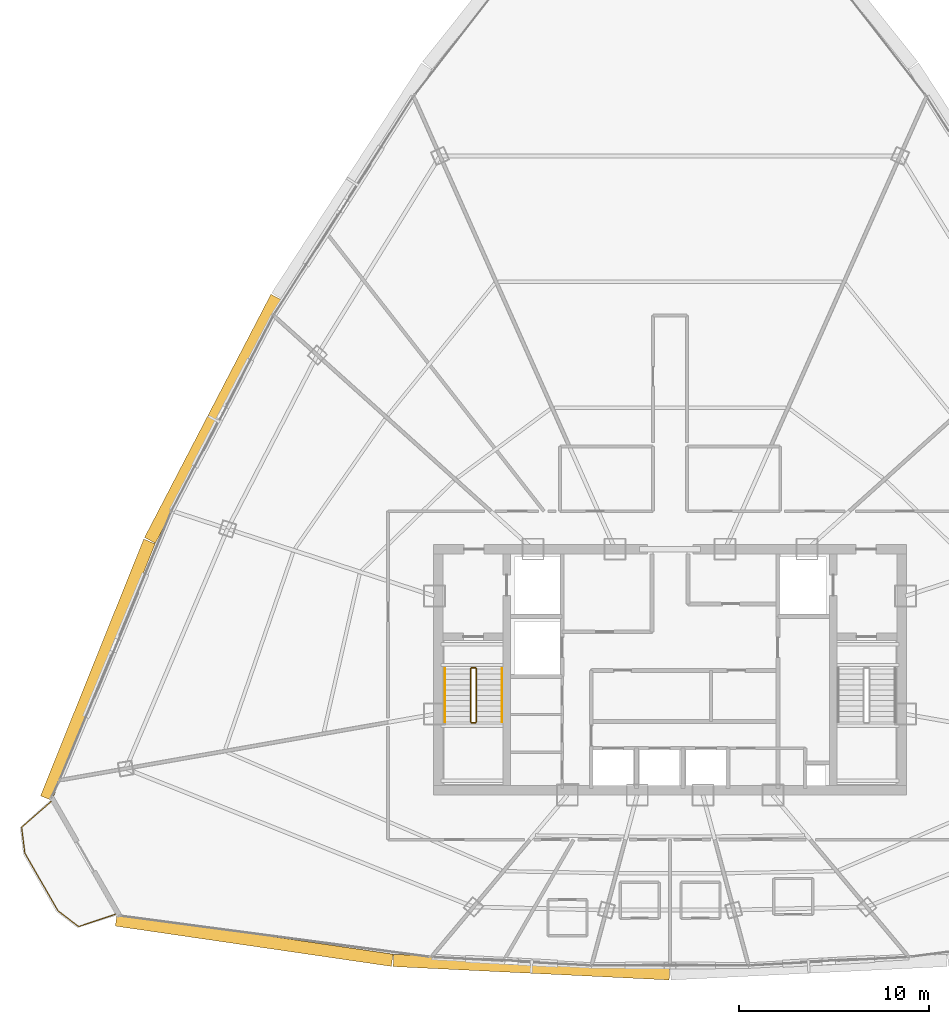
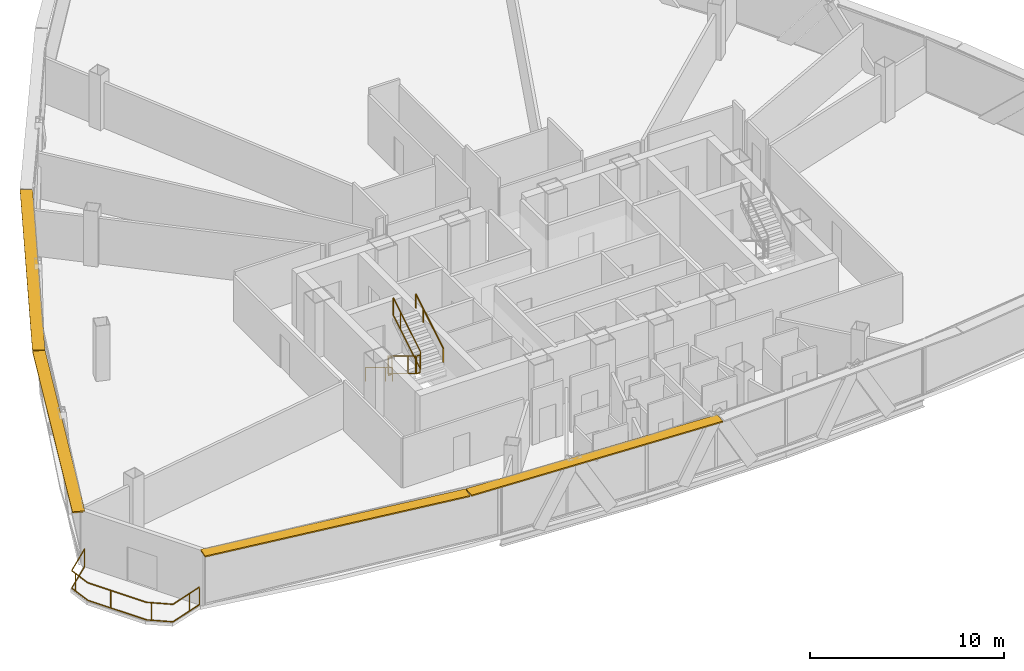
# One storey, part 35 of 37: 7 railings, 4 shading devices.
"""IFC4 building model written with IfcOpenShell, lengths in metres."""

from ifc_helpers import new_model, si_unit, direction, frame, origin, origin_2d, place, context, subcontext, project, spatial, rectangle, extrude, source, transform, mapped, material, layer, layer_set, type_object, element, save


model = new_model("IFC4")

# Units and contexts
model_context = context("Model", 3, precision=1e-05, world=origin(), true_north=direction((0.0, 1.0)))
body_context = subcontext(model_context, "Body", "Model", "MODEL_VIEW")
ifc_project = project(units=[si_unit("LENGTHUNIT", "METRE"), si_unit("AREAUNIT", "SQUARE_METRE"), si_unit("VOLUMEUNIT", "CUBIC_METRE"), si_unit("PLANEANGLEUNIT", "RADIAN"), si_unit("MASSUNIT", "GRAM", prefix="KILO"), si_unit("THERMODYNAMICTEMPERATUREUNIT", "KELVIN"), si_unit("POWERUNIT", "WATT")], contexts=[model_context])

# Site, building, storey
site_placement = place(None, origin())
site = spatial("IfcSite", under=ifc_project, at=site_placement, CompositionType="ELEMENT")
building_placement = place(site_placement, origin())
building = spatial("IfcBuilding", under=site, at=building_placement, Name="Yunzhuo Pagoda Commons", CompositionType="ELEMENT")
storey_placement = place(building_placement, frame((0.0, 0.0, 277.56005859375)))
storey = spatial("IfcBuildingStorey", under=building, at=storey_placement, Name="L69", CompositionType="ELEMENT", Elevation=277.56005859375)

# Railings
ifc_material = material(Name="Anodized aluminium 6063-T6", Category="aluminium")
railing_type_1 = type_object("IfcRailingType", Name="GR-ST1 Stair Well Guardrail 1150", PredefinedType="GUARDRAIL", material=ifc_material)
railing_1_placement = place(storey_placement, frame((37.5, 33.89990234375, 0.16943359375)))
element("IfcRailing", 1, at=railing_1_placement, inside=storey, type_object=railing_type_1, Name="L69 ST1 stair guard 1", PredefinedType="GUARDRAIL", context=body_context, shape_type="SweptSolid", body=[
    extrude(rectangle(XDim=0.048095703125, YDim=0.048095703125, at=origin_2d()), frame((0.0, 0.0, 1.1259765625), z_axis=(0.0, -0.855373106579, 0.518012401918), x_axis=(1.0, 0.0, 0.0)), (0.0, 0.0, 1.0), 3.273193359375),
    extrude(rectangle(XDim=0.048095703125, YDim=0.048095703125, at=origin_2d()), frame((0.0, 0.0, 0.02392578125), z_axis=(0.0, -0.855373106579, 0.518012401918), x_axis=(1.0, 0.0, 0.0)), (0.0, 0.0, 1.0), 3.273193359375),
    extrude(rectangle(XDim=0.0419921875, YDim=0.0419921875, at=origin_2d()), origin(), (0.0, 0.0, 1.0), 1.101806640625),
    extrude(rectangle(XDim=0.0419921875, YDim=0.0419921875, at=origin_2d()), frame((0.0, -2.052978515625, 1.2431640625)), (0.0, 0.0, 1.0), 1.101806640625),
    extrude(rectangle(XDim=0.0419921875, YDim=0.0419921875, at=origin_2d()), frame((0.0, -2.7998046875, 1.695556640625)), (0.0, 0.0, 1.0), 1.101806640625),
])
railing_2_placement = place(storey_placement, frame((37.550048828125, 31.050048828125, 1.864990234375)))
element("IfcRailing", 2, at=railing_2_placement, inside=storey, type_object=railing_type_1, Name="L69 ST1 stair guard 2", PredefinedType="GUARDRAIL", context=body_context, shape_type="SweptSolid", body=[
    extrude(rectangle(XDim=0.048095703125, YDim=0.048095703125, at=origin_2d()), frame((0.0, 0.0, 1.1259765625), z_axis=(1.0, 0.0, 0.0), x_axis=(0.0, 1.0, 0.0)), (0.0, 0.0, 1.0), 0.199951171875),
    extrude(rectangle(XDim=0.048095703125, YDim=0.048095703125, at=origin_2d()), frame((0.0, 0.0, 0.02392578125), z_axis=(1.0, 0.0, 0.0), x_axis=(0.0, 1.0, 0.0)), (0.0, 0.0, 1.0), 0.199951171875),
    extrude(rectangle(XDim=0.0419921875, YDim=0.0419921875, at=origin_2d()), origin(), (0.0, 0.0, 1.0), 1.101806640625),
    extrude(rectangle(XDim=0.0419921875, YDim=0.0419921875, at=origin_2d()), frame((0.199951171875, 0.0, 0.0)), (0.0, 0.0, 1.0), 1.101806640625),
])
railing_3_placement = place(storey_placement, frame((37.800048828125, 31.10009765625, 2.034423828125)))
element("IfcRailing", 3, at=railing_3_placement, inside=storey, type_object=railing_type_1, Name="L69 ST1 stair guard 3", PredefinedType="GUARDRAIL", context=body_context, shape_type="SweptSolid", body=[
    extrude(rectangle(XDim=0.048095703125, YDim=0.048095703125, at=origin_2d()), frame((0.0, 0.0, 1.1259765625), z_axis=(0.0, 0.855373106579, 0.518012401918), x_axis=(-1.0, 0.0, 0.0)), (0.0, 0.0, 1.0), 3.273193359375),
    extrude(rectangle(XDim=0.048095703125, YDim=0.048095703125, at=origin_2d()), frame((0.0, 0.0, 0.02392578125), z_axis=(0.0, 0.855373106579, 0.518012401918), x_axis=(-1.0, 0.0, 0.0)), (0.0, 0.0, 1.0), 3.273193359375),
    extrude(rectangle(XDim=0.0419921875, YDim=0.0419921875, at=origin_2d()), origin(), (0.0, 0.0, 1.0), 1.101806640625),
    extrude(rectangle(XDim=0.0419921875, YDim=0.0419921875, at=origin_2d()), frame((0.0, 2.052978515625, 1.2431640625)), (0.0, 0.0, 1.0), 1.101806640625),
    extrude(rectangle(XDim=0.0419921875, YDim=0.0419921875, at=origin_2d()), frame((0.0, 2.7998046875, 1.695556640625)), (0.0, 0.0, 1.0), 1.101806640625),
])
railing_4_placement = place(storey_placement, frame((37.550048828125, 33.949951171875, 0.0)))
element("IfcRailing", 4, at=railing_4_placement, inside=storey, type_object=railing_type_1, Name="L69 ST1 stair guard 4", PredefinedType="GUARDRAIL", context=body_context, shape_type="SweptSolid", body=[
    extrude(rectangle(XDim=0.048095703125, YDim=0.048095703125, at=origin_2d()), frame((0.0, 0.0, 1.1259765625), z_axis=(1.0, 0.0, 0.0), x_axis=(0.0, 1.0, 0.0)), (0.0, 0.0, 1.0), 0.199951171875),
    extrude(rectangle(XDim=0.048095703125, YDim=0.048095703125, at=origin_2d()), frame((0.0, 0.0, 0.02392578125), z_axis=(1.0, 0.0, 0.0), x_axis=(0.0, 1.0, 0.0)), (0.0, 0.0, 1.0), 0.199951171875),
    extrude(rectangle(XDim=0.0419921875, YDim=0.0419921875, at=origin_2d()), origin(), (0.0, 0.0, 1.0), 1.101806640625),
    extrude(rectangle(XDim=0.0419921875, YDim=0.0419921875, at=origin_2d()), frame((0.199951171875, 0.0, 0.0)), (0.0, 0.0, 1.0), 1.101806640625),
])
railing_type_2 = type_object("IfcRailingType", Name="HR-ST1 Stair Handrail 900", PredefinedType="HANDRAIL", material=ifc_material)
railing_5_placement = place(storey_placement, frame((36.14990234375, 33.89990234375, 0.16943359375)))
element("IfcRailing", 5, at=railing_5_placement, inside=storey, type_object=railing_type_2, Name="L69 ST1 stair handrail 1", PredefinedType="HANDRAIL", context=body_context, shape_type="SweptSolid", body=[
    extrude(rectangle(XDim=0.048095703125, YDim=0.048095703125, at=origin_2d()), frame((0.0, 0.0, 0.8759765625), z_axis=(0.0, -0.855373106579, 0.518012401918), x_axis=(1.0, 0.0, 0.0)), (0.0, 0.0, 1.0), 3.273193359375),
    extrude(rectangle(XDim=0.0419921875, YDim=0.0419921875, at=origin_2d()), origin(), (0.0, 0.0, 1.0), 0.851806640625),
    extrude(rectangle(XDim=0.0419921875, YDim=0.0419921875, at=origin_2d()), frame((0.0, -2.052978515625, 1.2431640625)), (0.0, 0.0, 1.0), 0.851806640625),
    extrude(rectangle(XDim=0.0419921875, YDim=0.0419921875, at=origin_2d()), frame((0.0, -2.7998046875, 1.695556640625)), (0.0, 0.0, 1.0), 0.851806640625),
])
railing_6_placement = place(storey_placement, frame((39.14990234375, 31.10009765625, 2.034423828125)))
element("IfcRailing", 6, at=railing_6_placement, inside=storey, type_object=railing_type_2, Name="L69 ST1 stair handrail 2", PredefinedType="HANDRAIL", context=body_context, shape_type="SweptSolid", body=[
    extrude(rectangle(XDim=0.048095703125, YDim=0.048095703125, at=origin_2d()), frame((0.0, 0.0, 0.8759765625), z_axis=(0.0, 0.855373106579, 0.518012401918), x_axis=(-1.0, 0.0, 0.0)), (0.0, 0.0, 1.0), 3.273193359375),
    extrude(rectangle(XDim=0.0419921875, YDim=0.0419921875, at=origin_2d()), origin(), (0.0, 0.0, 1.0), 0.851806640625),
    extrude(rectangle(XDim=0.0419921875, YDim=0.0419921875, at=origin_2d()), frame((0.0, 2.052978515625, 1.2431640625)), (0.0, 0.0, 1.0), 0.851806640625),
    extrude(rectangle(XDim=0.0419921875, YDim=0.0419921875, at=origin_2d()), frame((0.0, 2.7998046875, 1.695556640625)), (0.0, 0.0, 1.0), 0.851806640625),
])
railing_type_3 = type_object("IfcRailingType", Name="RL-BAL1 Exterior Terrace & Balcony Balustrade 1150", PredefinedType="BALUSTRADE", material=ifc_material)
railing_7_placement = place(storey_placement, frame((15.40380859375, 26.909912109375, 0.0)))
element("IfcRailing", 7, at=railing_7_placement, inside=storey, type_object=railing_type_3, Name="L69 corner balcony balustrade V1", PredefinedType="BALUSTRADE", context=body_context, shape_type="SweptSolid", body=[
    extrude(rectangle(XDim=0.048095703125, YDim=0.048095703125, at=origin_2d()), frame((0.0, 0.0, 1.1259765625), z_axis=(-0.753933830692, -0.656950362614, 0.0), x_axis=(0.656950362614, -0.753933830692, 0.0)), (0.0, 0.0, 1.0), 2.05908203125),
    extrude(rectangle(XDim=0.048095703125, YDim=0.048095703125, at=origin_2d()), frame((0.0, 0.0, 0.02392578125), z_axis=(-0.753933830692, -0.656950362614, 0.0), x_axis=(0.656950362614, -0.753933830692, 0.0)), (0.0, 0.0, 1.0), 2.05908203125),
    extrude(rectangle(XDim=0.048095703125, YDim=0.048095703125, at=origin_2d()), frame((-1.552490234375, -1.352783203125, 1.1259765625), z_axis=(0.125040239257, -0.99215167115, 0.0), x_axis=(0.99215167115, 0.125040239257, 0.0)), (0.0, 0.0, 1.0), 1.37451171875),
    extrude(rectangle(XDim=0.048095703125, YDim=0.048095703125, at=origin_2d()), frame((-1.552490234375, -1.352783203125, 0.02392578125), z_axis=(0.125040239257, -0.99215167115, 0.0), x_axis=(0.99215167115, 0.125040239257, 0.0)), (0.0, 0.0, 1.0), 1.37451171875),
    extrude(rectangle(XDim=0.048095703125, YDim=0.048095703125, at=origin_2d()), frame((-1.380615234375, -2.716552734375, 1.1259765625), z_axis=(0.49794239508, -0.867210107864, 0.0), x_axis=(0.867210107864, 0.49794239508, 0.0)), (0.0, 0.0, 1.0), 3.496826171875),
    extrude(rectangle(XDim=0.048095703125, YDim=0.048095703125, at=origin_2d()), frame((-1.380615234375, -2.716552734375, 0.02392578125), z_axis=(0.49794239508, -0.867210107864, 0.0), x_axis=(0.867210107864, 0.49794239508, 0.0)), (0.0, 0.0, 1.0), 3.496826171875),
    extrude(rectangle(XDim=0.048095703125, YDim=0.048095703125, at=origin_2d()), frame((0.360595703125, -5.7490234375, 1.1259765625), z_axis=(0.793797866596, -0.608181672684, 0.0), x_axis=(0.608181672684, 0.793797866596, 0.0)), (0.0, 0.0, 1.0), 1.37451171875),
    extrude(rectangle(XDim=0.048095703125, YDim=0.048095703125, at=origin_2d()), frame((0.360595703125, -5.7490234375, 0.02392578125), z_axis=(0.793797866596, -0.608181672684, 0.0), x_axis=(0.608181672684, 0.793797866596, 0.0)), (0.0, 0.0, 1.0), 1.37451171875),
    extrude(rectangle(XDim=0.048095703125, YDim=0.048095703125, at=origin_2d()), frame((1.45166015625, -6.5849609375, 1.1259765625), z_axis=(0.947419062147, 0.319995501031, 0.0), x_axis=(-0.319995501031, 0.947419062147, 0.0)), (0.0, 0.0, 1.0), 2.05908203125),
    extrude(rectangle(XDim=0.048095703125, YDim=0.048095703125, at=origin_2d()), frame((1.45166015625, -6.5849609375, 0.02392578125), z_axis=(0.947419062147, 0.319995501031, 0.0), x_axis=(-0.319995501031, 0.947419062147, 0.0)), (0.0, 0.0, 1.0), 2.05908203125),
    extrude(rectangle(XDim=0.0419921875, YDim=0.0419921875, at=origin_2d()), origin(), (0.0, 0.0, 1.0), 1.101806640625),
    extrude(rectangle(XDim=0.0419921875, YDim=0.0419921875, at=origin_2d()), frame((-1.509765625, -1.69091796875, 0.0)), (0.0, 0.0, 1.0), 1.101806640625),
    extrude(rectangle(XDim=0.0419921875, YDim=0.0419921875, at=origin_2d()), frame((-0.7001953125, -3.9013671875, 0.0)), (0.0, 0.0, 1.0), 1.101806640625),
    extrude(rectangle(XDim=0.0419921875, YDim=0.0419921875, at=origin_2d()), frame((0.574462890625, -5.912841796875, 0.0)), (0.0, 0.0, 1.0), 1.101806640625),
    extrude(rectangle(XDim=0.0419921875, YDim=0.0419921875, at=origin_2d()), frame((2.678466796875, -6.170654296875, 0.0)), (0.0, 0.0, 1.0), 1.101806640625),
    extrude(rectangle(XDim=0.0419921875, YDim=0.0419921875, at=origin_2d()), frame((3.402587890625, -5.926025390625, 0.0)), (0.0, 0.0, 1.0), 1.101806640625),
])

# Shading devices
ifc_layer = layer(ifc_material, 0.080078125)
ifc_layer_set = layer_set([ifc_layer], Name="Anodized aluminium 6063-T6")
shading_device_type = type_object("IfcShadingDeviceType", Name="SH-SUN1 Pagoda Horizontal Sunshade Eave 650", PredefinedType="USERDEFINED", material=ifc_layer_set)
shared_shape_1 = source(origin(), body_context, "Body", "SweptSolid", [
    extrude(rectangle(XDim=14.69140625, YDim=0.64990234375, at=origin_2d()), origin(), (0.0, 0.0, 1.0), 0.080078125),
])
shading_device_1_placement = place(storey_placement, frame((26.10009765625, 19.613037109375, 3.389892578125), z_axis=(0.0, 0.0, 1.0), x_axis=(0.989510666697, -0.144459823108, 0.0)))
element("IfcShadingDevice", 8, at=shading_device_1_placement, inside=storey, type_object=shading_device_type, Name="L69 horizontal pagoda sunshade eave F1.1", ObjectType="SUNSHADE", PredefinedType="USERDEFINED", context=body_context, shape_type="MappedRepresentation", body=[
    mapped(shared_shape_1, transform((0.0, 0.0, 0.0), scale=1.0)),
])
shared_shape_2 = source(origin(), body_context, "Body", "SweptSolid", [
    extrude(rectangle(XDim=14.55419921875, YDim=0.64990234375, at=origin_2d()), origin(), (0.0, 0.0, 1.0), 0.080078125),
])
shading_device_2_placement = place(storey_placement, frame((40.699951171875, 18.192138671875, 3.389892578125), z_axis=(0.0, 0.0, 1.0), x_axis=(0.998818043775, -0.04860571396, 0.0)))
element("IfcShadingDevice", 9, at=shading_device_2_placement, inside=storey, type_object=shading_device_type, Name="L69 horizontal pagoda sunshade eave F1.2", ObjectType="SUNSHADE", PredefinedType="USERDEFINED", context=body_context, shape_type="MappedRepresentation", body=[
    mapped(shared_shape_2, transform((0.0, 0.0, 0.0), scale=1.0)),
])
shared_shape_3 = source(origin(), body_context, "Body", "SweptSolid", [
    extrude(rectangle(XDim=14.5732421875, YDim=0.64990234375, at=origin_2d()), origin(), (0.0, 0.0, 1.0), 0.080078125),
])
shading_device_3_placement = place(storey_placement, frame((17.86669921875, 33.84814453125, 3.389892578125), z_axis=(0.0, 0.0, 1.0), x_axis=(-0.372987782576, -0.927836253899, 0.0)))
element("IfcShadingDevice", 10, at=shading_device_3_placement, inside=storey, type_object=shading_device_type, Name="L69 horizontal pagoda sunshade eave F3.4", ObjectType="SUNSHADE", PredefinedType="USERDEFINED", context=body_context, shape_type="MappedRepresentation", body=[
    mapped(shared_shape_3, transform((0.0, 0.0, 0.0), scale=1.0)),
])
shared_shape_4 = source(origin(), body_context, "Body", "SweptSolid", [
    extrude(rectangle(XDim=14.434814453125, YDim=0.64990234375, at=origin_2d()), origin(), (0.0, 0.0, 1.0), 0.080078125),
])
shading_device_4_placement = place(storey_placement, frame((23.939697265625, 47.0703125, 3.389892578125), z_axis=(0.0, 0.0, 1.0), x_axis=(-0.461206683033, -0.88729273384, 0.0)))
element("IfcShadingDevice", 11, at=shading_device_4_placement, inside=storey, type_object=shading_device_type, Name="L69 horizontal pagoda sunshade eave F3.3", ObjectType="SUNSHADE", PredefinedType="USERDEFINED", context=body_context, shape_type="MappedRepresentation", body=[
    mapped(shared_shape_4, transform((0.0, 0.0, 0.0), scale=1.0)),
])

save(model, "model.ifc")
